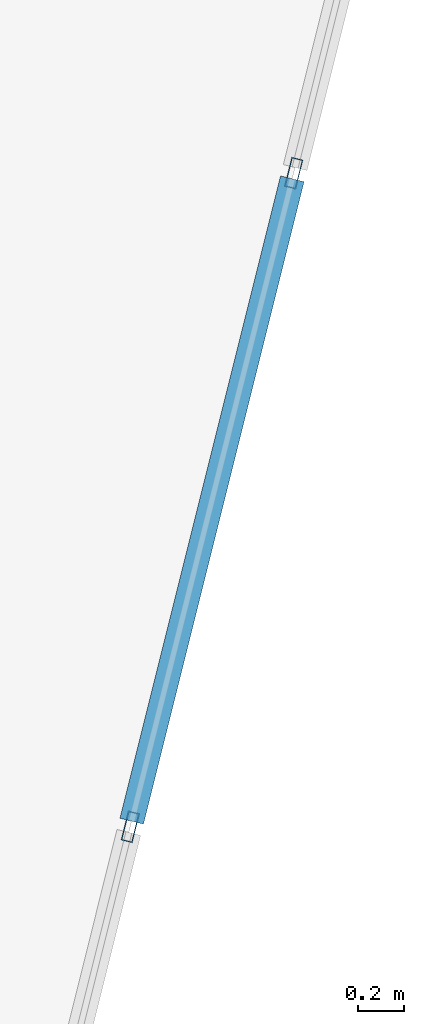
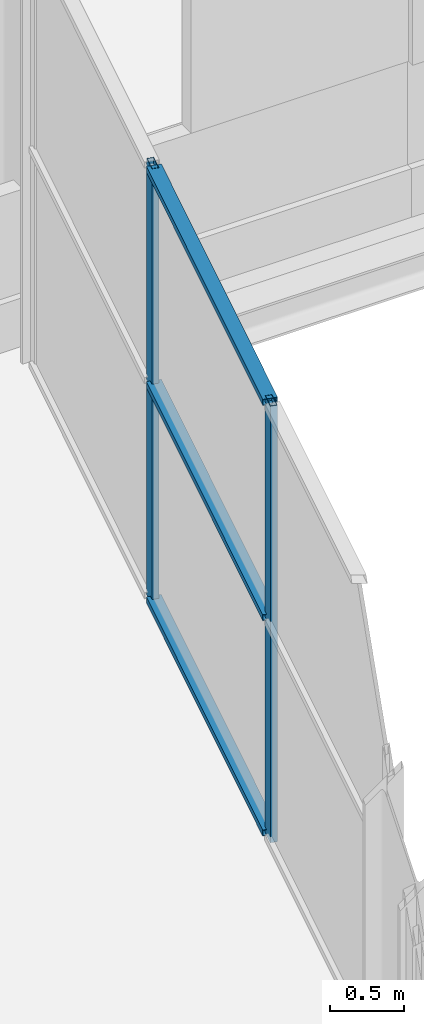
# One storey, part 70 of 132: 5 members, 1 element without a shape of its own.
"""IFC4 building model written with IfcOpenShell, lengths in metres."""

from ifc_helpers import new_model, si_unit, direction, frame, origin, origin_2d, place, context, subcontext, project, spatial, hollow_rectangle, extrude, material, layer, layer_set, material_profile, profile_set, type_object, element, aggregate, save


model = new_model("IFC4")

# Units and contexts
model_context = context("Model", 3, precision=1e-05, world=origin(), true_north=direction((0.0, 1.0)))
body_context = subcontext(model_context, "Body", "Model", "MODEL_VIEW")
ifc_project = project(units=[si_unit("LENGTHUNIT", "METRE"), si_unit("AREAUNIT", "SQUARE_METRE"), si_unit("VOLUMEUNIT", "CUBIC_METRE"), si_unit("PLANEANGLEUNIT", "RADIAN"), si_unit("MASSUNIT", "GRAM", prefix="KILO")], contexts=[model_context])

# Site, building, storey
site_placement = place(None, origin())
site = spatial("IfcSite", under=ifc_project, at=site_placement, CompositionType="ELEMENT")
building_placement = place(site_placement, origin())
building = spatial("IfcBuilding", under=site, at=building_placement, Name="Deido Ridge Mobility Hub", CompositionType="ELEMENT")
storey_placement = place(building_placement, frame((0.0, 0.0, 8.39990234375)))
storey = spatial("IfcBuildingStorey", under=building, at=storey_placement, Name="L02", CompositionType="ELEMENT", Elevation=8.39990234375)

# Curtain wall, members
ifc_material = material(Name="Anodised aluminium EN AW-6063 T6", Category="aluminium")
ifc_layer = layer(ifc_material, 0.27001953125, Name="Anodised aluminium EN AW-6063 T6")
ifc_layer_set = layer_set([ifc_layer], Name="Anodised aluminium EN AW-6063 T6")
curtain_wall_type = type_object("IfcCurtainWallType", Name="CW-UF-8", PredefinedType="USERDEFINED", material=ifc_layer_set)
curtain_wall_placement = place(storey_placement, origin())
curtain_wall = element("IfcCurtainWall", 1, at=curtain_wall_placement, inside=storey, type_object=curtain_wall_type, Name="Unitised curtain wall CW8", ObjectType="UNITISED FACADE", PredefinedType="USERDEFINED")
ifc_material_profile_1 = material_profile(ifc_material, hollow_rectangle(XDim=0.050048828125, YDim=0.1298828125, WallThickness=0.00390625, at=origin_2d()), Name="RHS 50x130x4")
ifc_profile_set_1 = profile_set([ifc_material_profile_1], Name="Anodised aluminium EN AW-6063 T6")
member_type_1 = type_object("IfcMemberType", Name="MEM-MUL-50X130", PredefinedType="MULLION", material=ifc_profile_set_1)
member_1_placement = place(storey_placement, frame((52.5224609375, 75.090087890625, 0.0), z_axis=(0.0, 0.0, 1.0), x_axis=(-0.970139801497, 0.242546419373, 0.0)))
member_1 = element("IfcMember", 2, at=member_1_placement, type_object=member_type_1, Name="CW8 mullion 2", PredefinedType="MULLION", context=body_context, shape_type="SweptSolid", body=[
    extrude(hollow_rectangle(XDim=0.050048828125, YDim=0.1298828125, WallThickness=0.00390625, at=origin_2d()), origin(), (0.0, 0.0, 1.0), 3.60009765625),
])
member_2_placement = place(storey_placement, frame((53.2275390625, 77.909912109375, 0.0), z_axis=(0.0, 0.0, 1.0), x_axis=(-0.970139801497, 0.242546419373, 0.0)))
member_2 = element("IfcMember", 3, at=member_2_placement, type_object=member_type_1, Name="CW8 mullion 3", PredefinedType="MULLION", context=body_context, shape_type="SweptSolid", body=[
    extrude(hollow_rectangle(XDim=0.050048828125, YDim=0.1298828125, WallThickness=0.00390625, at=origin_2d()), origin(), (0.0, 0.0, 1.0), 3.60009765625),
])
ifc_material_profile_2 = material_profile(ifc_material, hollow_rectangle(XDim=0.10498046875, YDim=0.050048828125, WallThickness=0.00390625, at=origin_2d()), Name="RHS 105x50x4")
ifc_profile_set_2 = profile_set([ifc_material_profile_2], Name="Anodised aluminium EN AW-6063 T6")
member_type_2 = type_object("IfcMemberType", Name="MEM-TRN-105X50", PredefinedType="USERDEFINED", material=ifc_profile_set_2)
member_3_placement = place(storey_placement, frame((52.528564453125, 75.114501953125, 0.025146484375), z_axis=(0.242575847992, 0.97013244352, 0.0), x_axis=(-0.97013244352, 0.242575847992, 0.0)))
member_3 = element("IfcMember", 4, at=member_3_placement, type_object=member_type_2, Name="CW8 transom 2.1", ObjectType="TRANSOM", PredefinedType="USERDEFINED", context=body_context, shape_type="SweptSolid", body=[
    extrude(hollow_rectangle(XDim=0.10498046875, YDim=0.050048828125, WallThickness=0.00390625, at=origin_2d()), origin(), (0.0, 0.0, 1.0), 2.856201171875),
])
member_4_placement = place(storey_placement, frame((52.528564453125, 75.114501953125, 1.800048828125), z_axis=(0.242575847992, 0.97013244352, 0.0), x_axis=(-0.97013244352, 0.242575847992, 0.0)))
member_4 = element("IfcMember", 5, at=member_4_placement, type_object=member_type_2, Name="CW8 transom 2.2", ObjectType="TRANSOM", PredefinedType="USERDEFINED", context=body_context, shape_type="SweptSolid", body=[
    extrude(hollow_rectangle(XDim=0.10498046875, YDim=0.050048828125, WallThickness=0.00390625, at=origin_2d()), origin(), (0.0, 0.0, 1.0), 2.856201171875),
])
member_5_placement = place(storey_placement, frame((52.528564453125, 75.114501953125, 3.5751953125), z_axis=(0.242575847992, 0.97013244352, 0.0), x_axis=(-0.97013244352, 0.242575847992, 0.0)))
member_5 = element("IfcMember", 6, at=member_5_placement, type_object=member_type_2, Name="CW8 transom 2.3", ObjectType="TRANSOM", PredefinedType="USERDEFINED", context=body_context, shape_type="SweptSolid", body=[
    extrude(hollow_rectangle(XDim=0.10498046875, YDim=0.050048828125, WallThickness=0.00390625, at=origin_2d()), origin(), (0.0, 0.0, 1.0), 2.856201171875),
])
aggregate(curtain_wall, [member_1, member_2, member_3, member_4, member_5])

save(model, "model.ifc")
